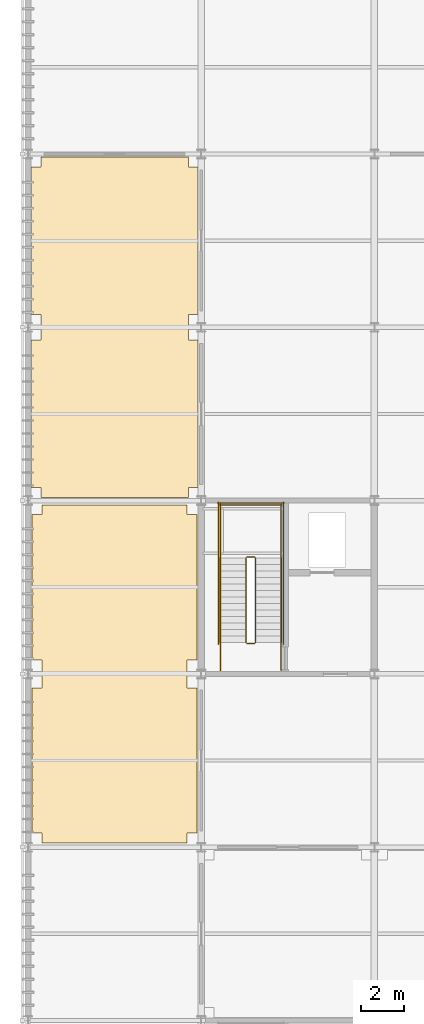
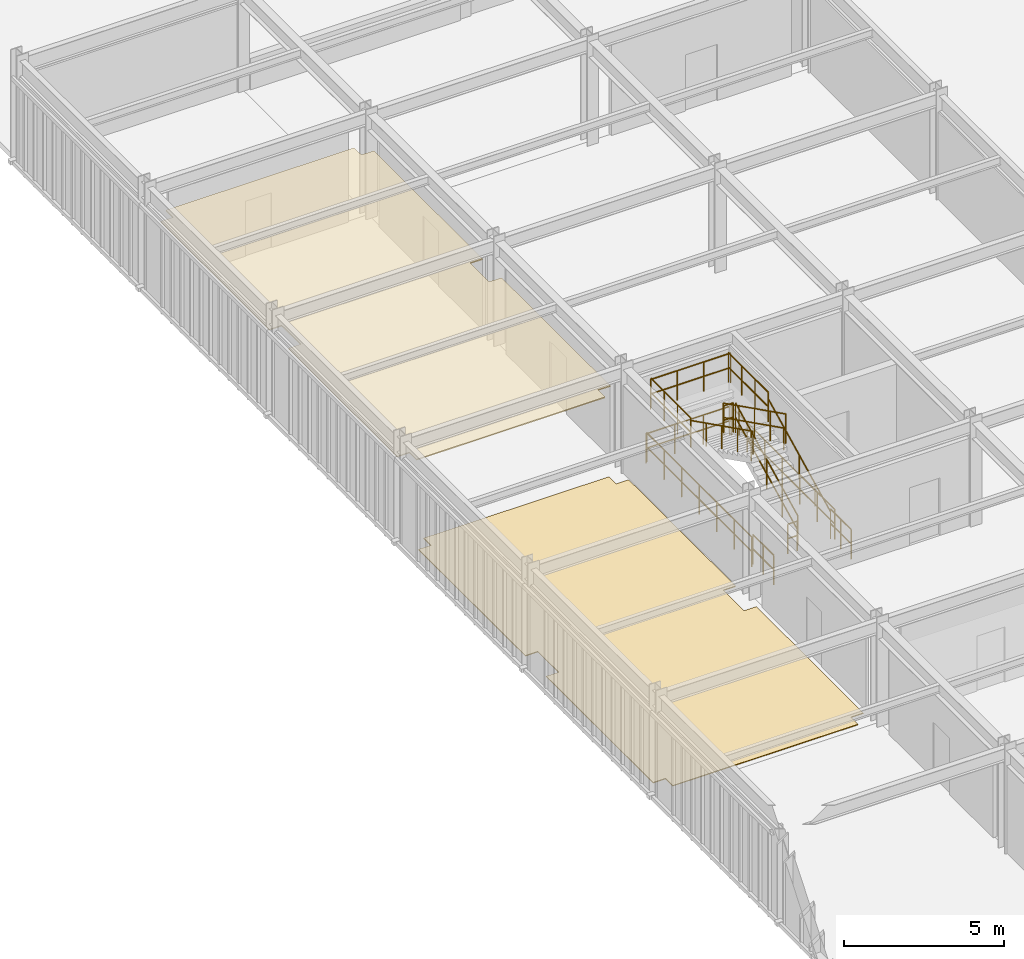
# One storey, part 52 of 54: 14 railings, 2 coverings.
"""IFC4 building model written with IfcOpenShell, lengths in metres."""

from ifc_helpers import new_model, si_unit, direction, frame, origin, origin_2d, place, context, subcontext, project, spatial, polyline, circle, outline, extrude, material, layer, layer_set, type_object, element, save


model = new_model("IFC4")

# Units and contexts
model_context = context("Model", 3, precision=1e-05, world=origin(), true_north=direction((0.0, 1.0)))
body_context = subcontext(model_context, "Body", "Model", "MODEL_VIEW")
ifc_project = project(units=[si_unit("LENGTHUNIT", "METRE"), si_unit("AREAUNIT", "SQUARE_METRE"), si_unit("VOLUMEUNIT", "CUBIC_METRE"), si_unit("PLANEANGLEUNIT", "RADIAN"), si_unit("MASSUNIT", "GRAM", prefix="KILO")], contexts=[model_context])

# Site, building, storey
site_placement = place(None, origin())
site = spatial("IfcSite", under=ifc_project, at=site_placement, CompositionType="ELEMENT")
building_placement = place(site_placement, origin())
building = spatial("IfcBuilding", under=site, at=building_placement, Name="Haebicheon Civic Stadium", CompositionType="ELEMENT")
storey_placement = place(building_placement, frame((0.0, 0.0, 22.800048828125)))
storey = spatial("IfcBuildingStorey", under=building, at=storey_placement, Name="L06", CompositionType="ELEMENT", Elevation=22.800048828125)

# Coverings
ifc_material_1 = material(Name="Perforated mineral-fibre acoustic board", Category="gypsum")
ifc_layer_1 = layer(ifc_material_1, 0.0400390625, Name="Perforated mineral-fibre acoustic board")
ifc_layer_set_1 = layer_set([ifc_layer_1], Name="Perforated mineral-fibre acoustic board")
covering_type_1 = type_object("IfcCoveringType", Name="COV-CLG-AC", PredefinedType="CEILING", material=ifc_layer_set_1)
covering_1_placement = place(storey_placement, frame((0.0, 0.0, 2.81005859375)))
element("IfcCovering", 1, at=covering_1_placement, inside=storey, type_object=covering_type_1, material=ifc_layer_set_1, Name="L06 Sky-Box Hospitality Suite acoustic ceiling", PredefinedType="CEILING", context=body_context, shape_type="SweptSolid", body=[
    extrude(outline(polyline([(24.594970703125, 112.14501953125), (24.594970703125, 112.594970703125), (24.14501953125, 112.594970703125), (24.14501953125, 119.405029296875), (24.594970703125, 119.405029296875), (24.594970703125, 120.594970703125), (24.14501953125, 120.594970703125), (24.14501953125, 127.405029296875), (24.594970703125, 127.405029296875), (24.594970703125, 127.85498046875), (31.405029296875, 127.85498046875), (31.405029296875, 127.405029296875), (31.85498046875, 127.405029296875), (31.85498046875, 120.594970703125), (31.405029296875, 120.594970703125), (31.405029296875, 119.405029296875), (31.85498046875, 119.405029296875), (31.85498046875, 112.594970703125), (31.405029296875, 112.594970703125), (31.405029296875, 112.14501953125), (24.594970703125, 112.14501953125)])), origin(), (0.0, 0.0, 1.0), 0.039794921875),
])
ifc_material_2 = material(Name="Quartz epoxy resin mortar", Category="concrete")
ifc_layer_2 = layer(ifc_material_2, 0.030029296875, Name="Quartz epoxy resin mortar")
ifc_layer_set_2 = layer_set([ifc_layer_2], Name="Quartz epoxy resin mortar")
covering_type_2 = type_object("IfcCoveringType", Name="COV-FLR-EPX", PredefinedType="FLOORING", material=ifc_layer_set_2)
covering_2_placement = place(storey_placement, origin())
element("IfcCovering", 2, at=covering_2_placement, inside=storey, type_object=covering_type_2, material=ifc_layer_set_2, Name="L06 Sky-Box Dining Lounge non-slip floor finish", PredefinedType="FLOORING", context=body_context, shape_type="SweptSolid", body=[
    extrude(outline(polyline([(24.64990234375, 96.199951171875), (24.64990234375, 96.64990234375), (24.199951171875, 96.64990234375), (24.199951171875, 103.35009765625), (24.64990234375, 103.35009765625), (24.64990234375, 104.64990234375), (24.199951171875, 104.64990234375), (24.199951171875, 111.35009765625), (24.64990234375, 111.35009765625), (24.64990234375, 111.800048828125), (31.35009765625, 111.800048828125), (31.35009765625, 111.35009765625), (31.800048828125, 111.35009765625), (31.800048828125, 104.64990234375), (31.35009765625, 104.64990234375), (31.35009765625, 103.35009765625), (31.800048828125, 103.35009765625), (31.800048828125, 96.64990234375), (31.35009765625, 96.64990234375), (31.35009765625, 96.199951171875), (24.64990234375, 96.199951171875)])), origin(), (0.0, 0.0, 1.0), 0.030029296875),
])

# Railings
ifc_material_3 = material(Name="Galvanised painted steel SM355", Category="steel")
railing_type_1 = type_object("IfcRailingType", Name="RL-GRD-1150", PredefinedType="GUARDRAIL", material=ifc_material_3)
railing_1_placement = place(storey_placement, frame((34.510009765625, 105.449951171875, 0.14990234375)))
element("IfcRailing", 3, at=railing_1_placement, inside=storey, type_object=railing_type_1, material=ifc_material_3, Name="L06 ST-04 stair guard 1", PredefinedType="GUARDRAIL", context=body_context, shape_type="SweptSolid", body=[
    extrude(circle(Radius=0.02392578125, at=origin_2d()), frame((0.0, 0.0, 1.1259765625), z_axis=(0.0, 0.894438388696, 0.447191199406), x_axis=(-1.0, 0.0, 0.0)), (0.0, 0.0, 1.0), 4.3603515625),
    extrude(circle(Radius=0.02392578125, at=origin_2d()), frame((0.0, 0.0, 0.574951171875), z_axis=(0.0, 0.894438388696, 0.447191199406), x_axis=(-1.0, 0.0, 0.0)), (0.0, 0.0, 1.0), 4.3603515625),
    extrude(circle(Radius=0.02099609375, at=origin_2d()), origin(), (0.0, 0.0, 1.0), 1.101806640625),
    extrude(circle(Radius=0.02099609375, at=origin_2d()), frame((0.0, 0.97509765625, 0.487548828125)), (0.0, 0.0, 1.0), 1.101806640625),
    extrude(circle(Radius=0.02099609375, at=origin_2d()), frame((0.0, 1.9501953125, 0.97509765625)), (0.0, 0.0, 1.0), 1.101806640625),
    extrude(circle(Radius=0.02099609375, at=origin_2d()), frame((0.0, 2.925048828125, 1.46240234375)), (0.0, 0.0, 1.0), 1.101806640625),
    extrude(circle(Radius=0.02099609375, at=origin_2d()), frame((0.0, 3.900146484375, 1.949951171875)), (0.0, 0.0, 1.0), 1.101806640625),
])
railing_2_placement = place(storey_placement, frame((34.4599609375, 109.39990234375, 2.099853515625)))
element("IfcRailing", 4, at=railing_2_placement, inside=storey, type_object=railing_type_1, material=ifc_material_3, Name="L06 ST-04 stair guard 2", PredefinedType="GUARDRAIL", context=body_context, shape_type="SweptSolid", body=[
    extrude(circle(Radius=0.02392578125, at=origin_2d()), frame((0.0, 0.0, 1.1259765625), z_axis=(-1.0, 0.0, 0.0), x_axis=(0.0, -1.0, 0.0)), (0.0, 0.0, 1.0), 0.33984375),
    extrude(circle(Radius=0.02392578125, at=origin_2d()), frame((0.0, 0.0, 0.574951171875), z_axis=(-1.0, 0.0, 0.0), x_axis=(0.0, -1.0, 0.0)), (0.0, 0.0, 1.0), 0.33984375),
    extrude(circle(Radius=0.02099609375, at=origin_2d()), origin(), (0.0, 0.0, 1.0), 1.101806640625),
    extrude(circle(Radius=0.02099609375, at=origin_2d()), frame((-0.33984375, 0.0, 0.0)), (0.0, 0.0, 1.0), 1.101806640625),
])
for number, where, name in (
    (5, (35.68994140625, 109.35009765625, 2.099853515625), "L06 ST-04 stair guard 3"),
    (6, (32.889892578125, 109.35009765625, 2.099853515625), "L06 ST-04 stair guard 4"),
):
    element("IfcRailing", number, at=place(storey_placement, frame(where)), inside=storey, type_object=railing_type_1, material=ifc_material_3, Name=name, PredefinedType="GUARDRAIL", context=body_context, shape_type="SweptSolid", body=[
        extrude(circle(Radius=0.02392578125, at=origin_2d()), frame((0.0, 0.0, 1.1259765625), z_axis=(0.0, 1.0, 0.0), x_axis=(-1.0, 0.0, 0.0)), (0.0, 0.0, 1.0), 2.489990234375),
        extrude(circle(Radius=0.02392578125, at=origin_2d()), frame((0.0, 0.0, 0.574951171875), z_axis=(0.0, 1.0, 0.0), x_axis=(-1.0, 0.0, 0.0)), (0.0, 0.0, 1.0), 2.489990234375),
        extrude(circle(Radius=0.02099609375, at=origin_2d()), origin(), (0.0, 0.0, 1.0), 1.101806640625),
        extrude(circle(Radius=0.02099609375, at=origin_2d()), frame((0.0, 0.830078125, 0.0)), (0.0, 0.0, 1.0), 1.101806640625),
        extrude(circle(Radius=0.02099609375, at=origin_2d()), frame((0.0, 1.659912109375, 0.0)), (0.0, 0.0, 1.0), 1.101806640625),
        extrude(circle(Radius=0.02099609375, at=origin_2d()), frame((0.0, 2.489990234375, 0.0)), (0.0, 0.0, 1.0), 1.101806640625),
    ])
railing_3_placement = place(storey_placement, frame((35.739990234375, 111.7900390625, 2.099853515625)))
element("IfcRailing", 7, at=railing_3_placement, inside=storey, type_object=railing_type_1, material=ifc_material_3, Name="L06 ST-04 stair guard 5", PredefinedType="GUARDRAIL", context=body_context, shape_type="SweptSolid", body=[
    extrude(circle(Radius=0.02392578125, at=origin_2d()), frame((0.0, 0.0, 1.1259765625), z_axis=(-1.0, 0.0, 0.0), x_axis=(0.0, -1.0, 0.0)), (0.0, 0.0, 1.0), 2.89990234375),
    extrude(circle(Radius=0.02392578125, at=origin_2d()), frame((0.0, 0.0, 0.574951171875), z_axis=(-1.0, 0.0, 0.0), x_axis=(0.0, -1.0, 0.0)), (0.0, 0.0, 1.0), 2.89990234375),
    extrude(circle(Radius=0.02099609375, at=origin_2d()), origin(), (0.0, 0.0, 1.0), 1.101806640625),
    extrude(circle(Radius=0.02099609375, at=origin_2d()), frame((-0.966552734375, 0.0, 0.0)), (0.0, 0.0, 1.0), 1.101806640625),
    extrude(circle(Radius=0.02099609375, at=origin_2d()), frame((-1.933349609375, 0.0, 0.0)), (0.0, 0.0, 1.0), 1.101806640625),
    extrude(circle(Radius=0.02099609375, at=origin_2d()), frame((-2.89990234375, 0.0, 0.0)), (0.0, 0.0, 1.0), 1.101806640625),
])
railing_4_placement = place(storey_placement, frame((34.070068359375, 109.35009765625, 2.25)))
element("IfcRailing", 8, at=railing_4_placement, inside=storey, type_object=railing_type_1, material=ifc_material_3, Name="L06 ST-04 stair guard 6", PredefinedType="GUARDRAIL", context=body_context, shape_type="SweptSolid", body=[
    extrude(circle(Radius=0.02392578125, at=origin_2d()), frame((0.0, 0.0, 1.1259765625), z_axis=(0.0, -0.894438388696, 0.447191199406), x_axis=(1.0, 0.0, 0.0)), (0.0, 0.0, 1.0), 4.3603515625),
    extrude(circle(Radius=0.02392578125, at=origin_2d()), frame((0.0, 0.0, 0.574951171875), z_axis=(0.0, -0.894438388696, 0.447191199406), x_axis=(1.0, 0.0, 0.0)), (0.0, 0.0, 1.0), 4.3603515625),
    extrude(circle(Radius=0.02099609375, at=origin_2d()), origin(), (0.0, 0.0, 1.0), 1.101806640625),
    extrude(circle(Radius=0.02099609375, at=origin_2d()), frame((0.0, -0.97509765625, 0.487548828125)), (0.0, 0.0, 1.0), 1.101806640625),
    extrude(circle(Radius=0.02099609375, at=origin_2d()), frame((0.0, -1.9501953125, 0.97509765625)), (0.0, 0.0, 1.0), 1.101806640625),
    extrude(circle(Radius=0.02099609375, at=origin_2d()), frame((0.0, -2.925048828125, 1.46240234375)), (0.0, 0.0, 1.0), 1.101806640625),
    extrude(circle(Radius=0.02099609375, at=origin_2d()), frame((0.0, -3.900146484375, 1.949951171875)), (0.0, 0.0, 1.0), 1.101806640625),
])
railing_5_placement = place(storey_placement, frame((34.4599609375, 105.39990234375, 0.0)))
element("IfcRailing", 9, at=railing_5_placement, inside=storey, type_object=railing_type_1, material=ifc_material_3, Name="L06 ST-04 stair guard 7", PredefinedType="GUARDRAIL", context=body_context, shape_type="SweptSolid", body=[
    extrude(circle(Radius=0.02392578125, at=origin_2d()), frame((0.0, 0.0, 1.1259765625), z_axis=(-1.0, 0.0, 0.0), x_axis=(0.0, -1.0, 0.0)), (0.0, 0.0, 1.0), 0.33984375),
    extrude(circle(Radius=0.02392578125, at=origin_2d()), frame((0.0, 0.0, 0.574951171875), z_axis=(-1.0, 0.0, 0.0), x_axis=(0.0, -1.0, 0.0)), (0.0, 0.0, 1.0), 0.33984375),
    extrude(circle(Radius=0.02099609375, at=origin_2d()), origin(), (0.0, 0.0, 1.0), 1.101806640625),
    extrude(circle(Radius=0.02099609375, at=origin_2d()), frame((-0.33984375, 0.0, 0.0)), (0.0, 0.0, 1.0), 1.101806640625),
])
for number, where, name in (
    (10, (35.68994140625, 104.159912109375, 0.0), "L06 ST-04 stair guard 8"),
    (11, (32.889892578125, 104.159912109375, 0.0), "L06 ST-04 stair guard 9"),
):
    element("IfcRailing", number, at=place(storey_placement, frame(where)), inside=storey, type_object=railing_type_1, material=ifc_material_3, Name=name, PredefinedType="GUARDRAIL", context=body_context, shape_type="SweptSolid", body=[
        extrude(circle(Radius=0.02392578125, at=origin_2d()), frame((0.0, 0.0, 1.1259765625), z_axis=(0.0, 1.0, 0.0), x_axis=(-1.0, 0.0, 0.0)), (0.0, 0.0, 1.0), 1.2900390625),
        extrude(circle(Radius=0.02392578125, at=origin_2d()), frame((0.0, 0.0, 0.574951171875), z_axis=(0.0, 1.0, 0.0), x_axis=(-1.0, 0.0, 0.0)), (0.0, 0.0, 1.0), 1.2900390625),
        extrude(circle(Radius=0.02099609375, at=origin_2d()), origin(), (0.0, 0.0, 1.0), 1.101806640625),
        extrude(circle(Radius=0.02099609375, at=origin_2d()), frame((0.0, 0.64501953125, 0.0)), (0.0, 0.0, 1.0), 1.101806640625),
        extrude(circle(Radius=0.02099609375, at=origin_2d()), frame((0.0, 1.2900390625, 0.0)), (0.0, 0.0, 1.0), 1.101806640625),
    ])
for number, where, name in (
    (12, (35.7900390625, 105.35009765625, 0.0), "L06 ST-04 stair guard 10"),
    (13, (32.7900390625, 105.35009765625, 0.0), "L06 ST-04 stair guard 11"),
):
    element("IfcRailing", number, at=place(storey_placement, frame(where)), inside=storey, type_object=railing_type_1, material=ifc_material_3, Name=name, PredefinedType="GUARDRAIL", context=body_context, shape_type="SweptSolid", body=[
        extrude(circle(Radius=0.02392578125, at=origin_2d()), frame((0.0, 0.0, 1.1259765625), z_axis=(0.0, 1.0, 0.0), x_axis=(-1.0, 0.0, 0.0)), (0.0, 0.0, 1.0), 6.58984375),
        extrude(circle(Radius=0.02392578125, at=origin_2d()), frame((0.0, 0.0, 0.574951171875), z_axis=(0.0, 1.0, 0.0), x_axis=(-1.0, 0.0, 0.0)), (0.0, 0.0, 1.0), 6.58984375),
        extrude(circle(Radius=0.02099609375, at=origin_2d()), origin(), (0.0, 0.0, 1.0), 1.101806640625),
        extrude(circle(Radius=0.02099609375, at=origin_2d()), frame((0.0, 1.098388671875, 0.0)), (0.0, 0.0, 1.0), 1.101806640625),
        extrude(circle(Radius=0.02099609375, at=origin_2d()), frame((0.0, 2.196533203125, 0.0)), (0.0, 0.0, 1.0), 1.101806640625),
        extrude(circle(Radius=0.02099609375, at=origin_2d()), frame((0.0, 3.294921875, 0.0)), (0.0, 0.0, 1.0), 1.101806640625),
        extrude(circle(Radius=0.02099609375, at=origin_2d()), frame((0.0, 4.393310546875, 0.0)), (0.0, 0.0, 1.0), 1.101806640625),
        extrude(circle(Radius=0.02099609375, at=origin_2d()), frame((0.0, 5.491455078125, 0.0)), (0.0, 0.0, 1.0), 1.101806640625),
        extrude(circle(Radius=0.02099609375, at=origin_2d()), frame((0.0, 6.58984375, 0.0)), (0.0, 0.0, 1.0), 1.101806640625),
    ])
railing_6_placement = place(storey_placement, frame((35.840087890625, 111.889892578125, 0.0)))
element("IfcRailing", 14, at=railing_6_placement, inside=storey, type_object=railing_type_1, material=ifc_material_3, Name="L06 ST-04 stair guard 12", PredefinedType="GUARDRAIL", context=body_context, shape_type="SweptSolid", body=[
    extrude(circle(Radius=0.02392578125, at=origin_2d()), frame((0.0, 0.0, 1.1259765625), z_axis=(-1.0, 0.0, 0.0), x_axis=(0.0, -1.0, 0.0)), (0.0, 0.0, 1.0), 3.10009765625),
    extrude(circle(Radius=0.02392578125, at=origin_2d()), frame((0.0, 0.0, 0.574951171875), z_axis=(-1.0, 0.0, 0.0), x_axis=(0.0, -1.0, 0.0)), (0.0, 0.0, 1.0), 3.10009765625),
    extrude(circle(Radius=0.02099609375, at=origin_2d()), origin(), (0.0, 0.0, 1.0), 1.101806640625),
    extrude(circle(Radius=0.02099609375, at=origin_2d()), frame((-1.033447265625, 0.0, 0.0)), (0.0, 0.0, 1.0), 1.101806640625),
    extrude(circle(Radius=0.02099609375, at=origin_2d()), frame((-2.066650390625, 0.0, 0.0)), (0.0, 0.0, 1.0), 1.101806640625),
    extrude(circle(Radius=0.02099609375, at=origin_2d()), frame((-3.10009765625, 0.0, 0.0)), (0.0, 0.0, 1.0), 1.101806640625),
])
ifc_material_4 = material(Name="Stainless steel 316", Category="steel")
railing_type_2 = type_object("IfcRailingType", Name="RL-HND-900", PredefinedType="HANDRAIL", material=ifc_material_4)
railing_7_placement = place(storey_placement, frame((35.68994140625, 105.449951171875, 0.14990234375)))
element("IfcRailing", 15, at=railing_7_placement, inside=storey, type_object=railing_type_2, material=ifc_material_4, Name="L06 ST-04 stair handrail 1", PredefinedType="HANDRAIL", context=body_context, shape_type="SweptSolid", body=[
    extrude(circle(Radius=0.02392578125, at=origin_2d()), frame((0.0, 0.0, 0.8759765625), z_axis=(0.0, 0.894438388696, 0.447191199406), x_axis=(-1.0, 0.0, 0.0)), (0.0, 0.0, 1.0), 4.3603515625),
    extrude(circle(Radius=0.02099609375, at=origin_2d()), origin(), (0.0, 0.0, 1.0), 0.851806640625),
    extrude(circle(Radius=0.02099609375, at=origin_2d()), frame((0.0, 0.97509765625, 0.487548828125)), (0.0, 0.0, 1.0), 0.851806640625),
    extrude(circle(Radius=0.02099609375, at=origin_2d()), frame((0.0, 1.9501953125, 0.97509765625)), (0.0, 0.0, 1.0), 0.851806640625),
    extrude(circle(Radius=0.02099609375, at=origin_2d()), frame((0.0, 2.925048828125, 1.46240234375)), (0.0, 0.0, 1.0), 0.851806640625),
    extrude(circle(Radius=0.02099609375, at=origin_2d()), frame((0.0, 3.900146484375, 1.949951171875)), (0.0, 0.0, 1.0), 0.851806640625),
])
railing_8_placement = place(storey_placement, frame((32.889892578125, 109.35009765625, 2.25)))
element("IfcRailing", 16, at=railing_8_placement, inside=storey, type_object=railing_type_2, material=ifc_material_4, Name="L06 ST-04 stair handrail 2", PredefinedType="HANDRAIL", context=body_context, shape_type="SweptSolid", body=[
    extrude(circle(Radius=0.02392578125, at=origin_2d()), frame((0.0, 0.0, 0.8759765625), z_axis=(0.0, -0.894438388696, 0.447191199406), x_axis=(1.0, 0.0, 0.0)), (0.0, 0.0, 1.0), 4.3603515625),
    extrude(circle(Radius=0.02099609375, at=origin_2d()), origin(), (0.0, 0.0, 1.0), 0.851806640625),
    extrude(circle(Radius=0.02099609375, at=origin_2d()), frame((0.0, -0.97509765625, 0.487548828125)), (0.0, 0.0, 1.0), 0.851806640625),
    extrude(circle(Radius=0.02099609375, at=origin_2d()), frame((0.0, -1.9501953125, 0.97509765625)), (0.0, 0.0, 1.0), 0.851806640625),
    extrude(circle(Radius=0.02099609375, at=origin_2d()), frame((0.0, -2.925048828125, 1.46240234375)), (0.0, 0.0, 1.0), 0.851806640625),
    extrude(circle(Radius=0.02099609375, at=origin_2d()), frame((0.0, -3.900146484375, 1.949951171875)), (0.0, 0.0, 1.0), 0.851806640625),
])

save(model, "model.ifc")
